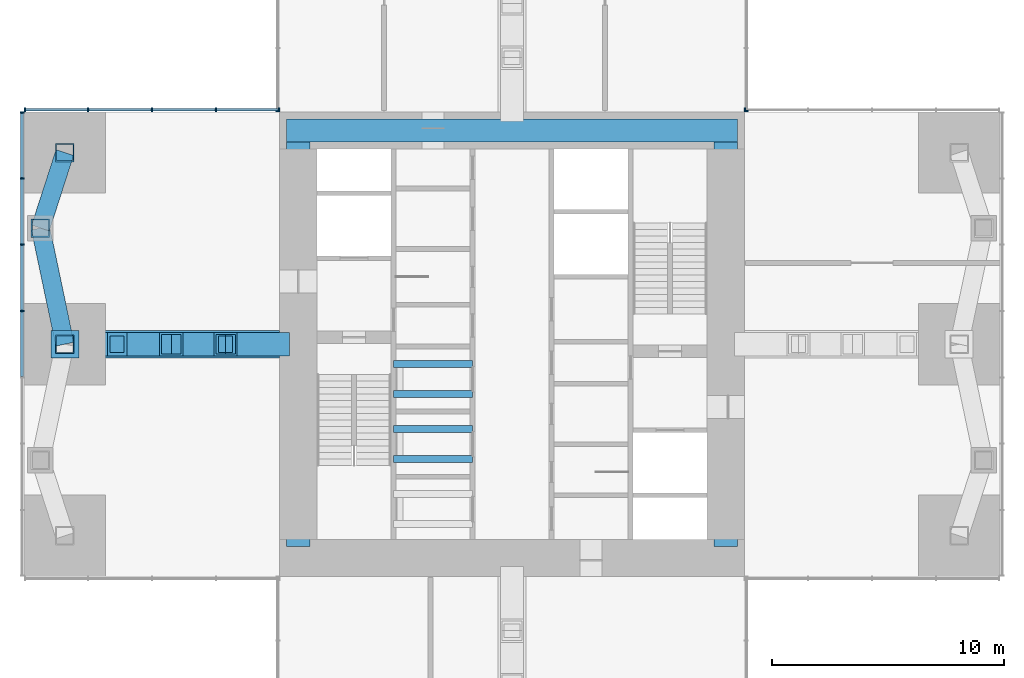
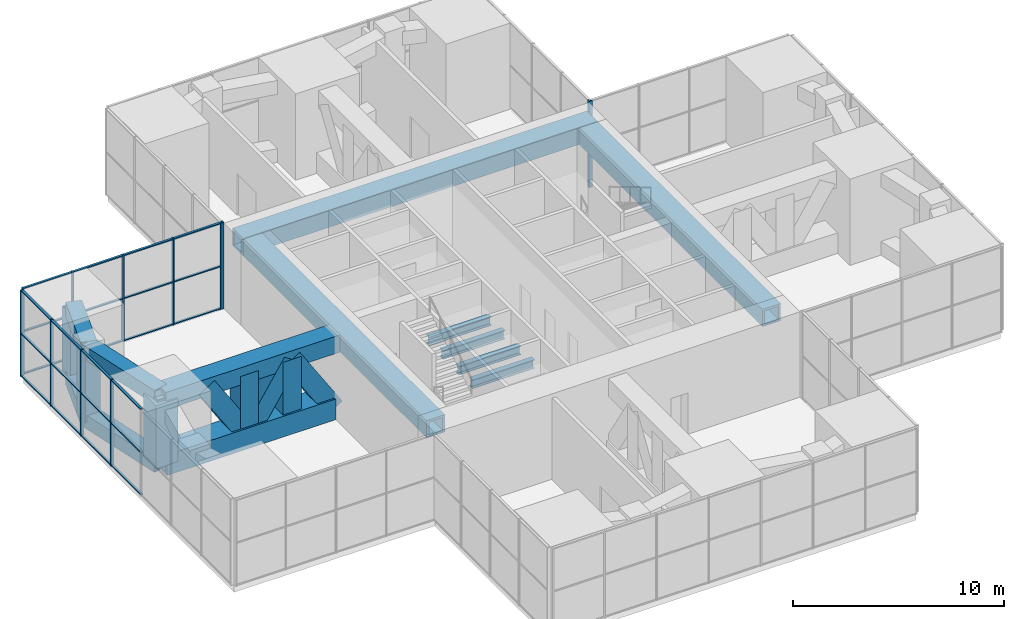
# One storey, part 4 of 12: 54 members, 4 beams, 5 elements without a shape of their own.
"""IFC4 building model written with IfcOpenShell, lengths in metres."""

from ifc_helpers import new_model, si_unit, direction, frame, origin, origin_2d, place, context, subcontext, project, spatial, rectangle, hollow_rectangle, i_section, extrude, material, material_profile, profile_set, type_object, element, aggregate, save


model = new_model("IFC4")

# Units and contexts
model_context = context("Model", 3, precision=1e-05, world=origin(), true_north=direction((0.0, 1.0)))
body_context = subcontext(model_context, "Body", "Model", "MODEL_VIEW")
ifc_project = project(units=[si_unit("LENGTHUNIT", "METRE"), si_unit("AREAUNIT", "SQUARE_METRE"), si_unit("VOLUMEUNIT", "CUBIC_METRE"), si_unit("PLANEANGLEUNIT", "RADIAN"), si_unit("MASSUNIT", "GRAM", prefix="KILO")], contexts=[model_context])

# Site, building, storey
site_placement = place(None, origin())
site = spatial("IfcSite", under=ifc_project, at=site_placement, CompositionType="ELEMENT")
building_placement = place(site_placement, origin())
building = spatial("IfcBuilding", under=site, at=building_placement, Name="Svetlomir Tower", CompositionType="ELEMENT")
storey_placement = place(building_placement, frame((0.0, 0.0, 160.5)))
storey = spatial("IfcBuildingStorey", under=building, at=storey_placement, Name="L38", CompositionType="ELEMENT", Elevation=160.5)

# Members
ifc_material_1 = material(Name="Steel S355", Category="steel")
ifc_material_profile_1 = material_profile(ifc_material_1, hollow_rectangle(XDim=0.800048828125, YDim=0.800048828125, WallThickness=0.050048828125, at=origin_2d()), Name="BOX 800x800x50")
ifc_profile_set_1 = profile_set([ifc_material_profile_1], Name="Steel S355")
member_type_1 = type_object("IfcMemberType", Name="BELT FRAME CHORD BOX 800x800x50", PredefinedType="CHORD", material=ifc_profile_set_1)
for number, where, z_axis, x_axis, name in (
    (1, (1.75, 21.0, 0.39990234375), (-0.205526387753, 0.978651574329, 0.0), (-0.978651574329, -0.205526387753, 0.0), "Belt frame W L38 bottom chord 3"),
    (2, (1.75, 21.0, 4.35009765625), (-0.205526387753, 0.978651574329, 0.0), (-0.978651574329, -0.205526387753, 0.0), "Belt frame W L38 top chord 3"),
):
    element("IfcMember", number, at=place(storey_placement, frame(where, z_axis=z_axis, x_axis=x_axis)), inside=storey, type_object=member_type_1, Name=name, PredefinedType="CHORD", context=body_context, shape_type="SweptSolid", body=[
        extrude(hollow_rectangle(XDim=0.800048828125, YDim=0.800048828125, WallThickness=0.050048828125, at=origin_2d()), origin(), (0.0, 0.0, 1.0), 5.109130859375),
    ])
for number, where, z_axis, x_axis, name in (
    (3, (0.699951171875, 26.0, 0.39990234375), (0.307443428225, 0.951566360503, 0.0), (-0.951566360503, 0.307443428225, 0.0), "Belt frame W L38 bottom chord 4"),
    (4, (0.699951171875, 26.0, 4.35009765625), (0.307443428225, 0.951566360503, 0.0), (-0.951566360503, 0.307443428225, 0.0), "Belt frame W L38 top chord 4"),
):
    element("IfcMember", number, at=place(storey_placement, frame(where, z_axis=z_axis, x_axis=x_axis)), inside=storey, type_object=member_type_1, Name=name, PredefinedType="CHORD", context=body_context, shape_type="SweptSolid", body=[
        extrude(hollow_rectangle(XDim=0.800048828125, YDim=0.800048828125, WallThickness=0.050048828125, at=origin_2d()), origin(), (0.0, 0.0, 1.0), 3.41552734375),
    ])
ifc_material_2 = material(Name="Steel S355", Category="steel")
ifc_material_profile_2 = material_profile(ifc_material_2, hollow_rectangle(XDim=0.800048828125, YDim=0.800048828125, WallThickness=0.050048828125, at=origin_2d()), Name="BOX 800x800x50")
ifc_profile_set_2 = profile_set([ifc_material_profile_2], Name="Steel S355")
member_type_2 = type_object("IfcMemberType", Name="BELT FRAME POST BOX 800x800x50", PredefinedType="POST", material=ifc_profile_set_2)
for number, where, z_axis, x_axis, name in (
    (5, (1.75, 21.0, 0.39990234375), (0.0, 0.0, 1.0), (1.0, 0.0, 0.0), "Belt frame W L38 post 3"),
    (6, (0.699951171875, 26.0, 0.39990234375), (0.0, 0.0, 1.0), (1.0, 0.0, 0.0), "Belt frame W L38 post 4"),
    (7, (1.75, 29.25, 0.39990234375), (0.0, 0.0, 1.0), (1.0, 0.0, 0.0), "Belt frame W L38 post 5"),
):
    element("IfcMember", number, at=place(storey_placement, frame(where, z_axis=z_axis, x_axis=x_axis)), inside=storey, type_object=member_type_2, Name=name, PredefinedType="POST", context=body_context, shape_type="SweptSolid", body=[
        extrude(hollow_rectangle(XDim=0.800048828125, YDim=0.800048828125, WallThickness=0.050048828125, at=origin_2d()), origin(), (0.0, 0.0, 1.0), 3.9501953125),
    ])

# Curtain wall, member
ifc_material_3 = material(Name="Bronze anodised aluminium curtain wall", Category="aluminium")
curtain_wall_type = type_object("IfcCurtainWallType", Name="CURTAIN WALL CW3 PLANT LOUVRE", PredefinedType="NOTDEFINED", material=ifc_material_3)
curtain_wall_1_placement = place(storey_placement, origin())
curtain_wall_1 = element("IfcCurtainWall", 8, at=curtain_wall_1_placement, inside=storey, type_object=curtain_wall_type, Name="Curtain wall CW3 L38", PredefinedType="NOTDEFINED")
ifc_material_4 = material(Name="Bronze anodised aluminium", Category="aluminium")
ifc_material_profile_3 = material_profile(ifc_material_4, rectangle(XDim=0.06494140625, YDim=0.179931640625, at=origin_2d()), Name="AL 65x180")
ifc_profile_set_3 = profile_set([ifc_material_profile_3], Name="Bronze anodised aluminium 6063-T6")
member_type_3 = type_object("IfcMemberType", Name="CW3 MULLION 65x180", PredefinedType="MULLION", material=ifc_profile_set_3)
member_1_placement = place(storey_placement, frame((31.032470703125, 31.090087890625, 0.0), z_axis=(0.0, 0.0, 1.0), x_axis=(-1.0, 0.0, 0.0)))
member_1 = element("IfcMember", 9, at=member_1_placement, type_object=member_type_3, Name="CW3 mullion 5", PredefinedType="MULLION", context=body_context, shape_type="SweptSolid", body=[
    extrude(rectangle(XDim=0.06494140625, YDim=0.179931640625, at=origin_2d()), origin(), (0.0, 0.0, 1.0), 5.0),
])
aggregate(curtain_wall_1, [member_1])

curtain_wall_2_placement = place(storey_placement, origin())
curtain_wall_2 = element("IfcCurtainWall", 10, at=curtain_wall_2_placement, inside=storey, type_object=curtain_wall_type, Name="Curtain wall CW3 L38", PredefinedType="NOTDEFINED")
member_2_placement = place(storey_placement, frame((31.090087890625, 31.032470703125, 0.0), z_axis=(0.0, 0.0, 1.0), x_axis=(0.0, 1.0, 0.0)))
member_2 = element("IfcMember", 11, at=member_2_placement, type_object=member_type_3, Name="CW3 mullion 1", PredefinedType="MULLION", context=body_context, shape_type="SweptSolid", body=[
    extrude(rectangle(XDim=0.06494140625, YDim=0.179931640625, at=origin_2d()), origin(), (0.0, 0.0, 1.0), 5.0),
])
aggregate(curtain_wall_2, [member_2])

curtain_wall_3_placement = place(storey_placement, origin())
curtain_wall_3 = element("IfcCurtainWall", 12, at=curtain_wall_3_placement, inside=storey, type_object=curtain_wall_type, Name="Curtain wall CW3 L38", PredefinedType="NOTDEFINED")
member_3_placement = place(storey_placement, frame((10.909912109375, 31.032470703125, 0.0), z_axis=(0.0, 0.0, 1.0), x_axis=(0.0, -1.0, 0.0)))
member_3 = element("IfcMember", 13, at=member_3_placement, type_object=member_type_3, Name="CW3 mullion 5", PredefinedType="MULLION", context=body_context, shape_type="SweptSolid", body=[
    extrude(rectangle(XDim=0.06494140625, YDim=0.179931640625, at=origin_2d()), origin(), (0.0, 0.0, 1.0), 5.0),
])
aggregate(curtain_wall_3, [member_3])

# Curtain wall, members
curtain_wall_4_placement = place(storey_placement, origin())
curtain_wall_4 = element("IfcCurtainWall", 14, at=curtain_wall_4_placement, inside=storey, type_object=curtain_wall_type, Name="Curtain wall CW3 L38", PredefinedType="NOTDEFINED")
member_4_placement = place(storey_placement, frame((10.967529296875, 31.090087890625, 0.0), z_axis=(0.0, 0.0, 1.0), x_axis=(-1.0, 0.0, 0.0)))
member_4 = element("IfcMember", 15, at=member_4_placement, type_object=member_type_3, Name="CW3 mullion 1", PredefinedType="MULLION", context=body_context, shape_type="SweptSolid", body=[
    extrude(rectangle(XDim=0.06494140625, YDim=0.179931640625, at=origin_2d()), origin(), (0.0, 0.0, 1.0), 5.0),
])
member_5_placement = place(storey_placement, frame((8.25, 31.090087890625, 0.0), z_axis=(0.0, 0.0, 1.0), x_axis=(-1.0, 0.0, 0.0)))
member_5 = element("IfcMember", 16, at=member_5_placement, type_object=member_type_3, Name="CW3 mullion 2", PredefinedType="MULLION", context=body_context, shape_type="SweptSolid", body=[
    extrude(rectangle(XDim=0.06494140625, YDim=0.179931640625, at=origin_2d()), origin(), (0.0, 0.0, 1.0), 5.0),
])
member_6_placement = place(storey_placement, frame((5.5, 31.090087890625, 0.0), z_axis=(0.0, 0.0, 1.0), x_axis=(-1.0, 0.0, 0.0)))
member_6 = element("IfcMember", 17, at=member_6_placement, type_object=member_type_3, Name="CW3 mullion 3", PredefinedType="MULLION", context=body_context, shape_type="SweptSolid", body=[
    extrude(rectangle(XDim=0.06494140625, YDim=0.179931640625, at=origin_2d()), origin(), (0.0, 0.0, 1.0), 5.0),
])
member_7_placement = place(storey_placement, frame((2.75, 31.090087890625, 0.0), z_axis=(0.0, 0.0, 1.0), x_axis=(-1.0, 0.0, 0.0)))
member_7 = element("IfcMember", 18, at=member_7_placement, type_object=member_type_3, Name="CW3 mullion 4", PredefinedType="MULLION", context=body_context, shape_type="SweptSolid", body=[
    extrude(rectangle(XDim=0.06494140625, YDim=0.179931640625, at=origin_2d()), origin(), (0.0, 0.0, 1.0), 5.0),
])
member_8_placement = place(storey_placement, frame((0.032470703125, 31.090087890625, 0.0), z_axis=(0.0, 0.0, 1.0), x_axis=(-1.0, 0.0, 0.0)))
member_8 = element("IfcMember", 19, at=member_8_placement, type_object=member_type_3, Name="CW3 mullion 5", PredefinedType="MULLION", context=body_context, shape_type="SweptSolid", body=[
    extrude(rectangle(XDim=0.06494140625, YDim=0.179931640625, at=origin_2d()), origin(), (0.0, 0.0, 1.0), 5.0),
])

curtain_wall_5_placement = place(storey_placement, origin())
curtain_wall_5 = element("IfcCurtainWall", 20, at=curtain_wall_5_placement, inside=storey, type_object=curtain_wall_type, Name="Curtain wall CW3 L38", PredefinedType="NOTDEFINED")
member_9_placement = place(storey_placement, frame((-0.090087890625, 30.967529296875, 0.0), z_axis=(0.0, 0.0, 1.0), x_axis=(0.0, -1.0, 0.0)))
member_9 = element("IfcMember", 21, at=member_9_placement, type_object=member_type_3, Name="CW3 mullion 1", PredefinedType="MULLION", context=body_context, shape_type="SweptSolid", body=[
    extrude(rectangle(XDim=0.06494140625, YDim=0.179931640625, at=origin_2d()), origin(), (0.0, 0.0, 1.0), 5.0),
])
member_10_placement = place(storey_placement, frame((-0.090087890625, 28.142822265625, 0.0), z_axis=(0.0, 0.0, 1.0), x_axis=(0.0, -1.0, 0.0)))
member_10 = element("IfcMember", 22, at=member_10_placement, type_object=member_type_3, Name="CW3 mullion 2", PredefinedType="MULLION", context=body_context, shape_type="SweptSolid", body=[
    extrude(rectangle(XDim=0.06494140625, YDim=0.179931640625, at=origin_2d()), origin(), (0.0, 0.0, 1.0), 5.0),
])
member_11_placement = place(storey_placement, frame((-0.090087890625, 25.28564453125, 0.0), z_axis=(0.0, 0.0, 1.0), x_axis=(0.0, -1.0, 0.0)))
member_11 = element("IfcMember", 23, at=member_11_placement, type_object=member_type_3, Name="CW3 mullion 3", PredefinedType="MULLION", context=body_context, shape_type="SweptSolid", body=[
    extrude(rectangle(XDim=0.06494140625, YDim=0.179931640625, at=origin_2d()), origin(), (0.0, 0.0, 1.0), 5.0),
])
member_12_placement = place(storey_placement, frame((-0.090087890625, 22.428466796875, 0.0), z_axis=(0.0, 0.0, 1.0), x_axis=(0.0, -1.0, 0.0)))
member_12 = element("IfcMember", 24, at=member_12_placement, type_object=member_type_3, Name="CW3 mullion 4", PredefinedType="MULLION", context=body_context, shape_type="SweptSolid", body=[
    extrude(rectangle(XDim=0.06494140625, YDim=0.179931640625, at=origin_2d()), origin(), (0.0, 0.0, 1.0), 5.0),
])

# Member
ifc_material_5 = material(Name="Bronze anodised aluminium", Category="aluminium")
ifc_material_profile_4 = material_profile(ifc_material_5, rectangle(XDim=0.1201171875, YDim=0.06494140625, at=origin_2d()), Name="AL 120x65")
ifc_profile_set_4 = profile_set([ifc_material_profile_4], Name="Bronze anodised aluminium 6063-T6")
member_type_4 = type_object("IfcMemberType", Name="CW3 TRANSOM 65x120", PredefinedType="USERDEFINED", material=ifc_profile_set_4)
member_13_placement = place(storey_placement, frame((10.93505859375, 31.090087890625, 0.032470703125), z_axis=(-1.0, 0.0, 0.0), x_axis=(0.0, -1.0, 0.0)))
member_13 = element("IfcMember", 25, at=member_13_placement, type_object=member_type_4, Name="CW3 transom 1.1", ObjectType="TRANSOM", PredefinedType="USERDEFINED", context=body_context, shape_type="SweptSolid", body=[
    extrude(rectangle(XDim=0.1201171875, YDim=0.06494140625, at=origin_2d()), origin(), (0.0, 0.0, 1.0), 2.652587890625),
])

member_14_placement = place(storey_placement, frame((10.93505859375, 31.090087890625, 2.483642578125), z_axis=(-1.0, 0.0, 0.0), x_axis=(0.0, -1.0, 0.0)))
member_14 = element("IfcMember", 26, at=member_14_placement, type_object=member_type_4, Name="CW3 transom 1.2", ObjectType="TRANSOM", PredefinedType="USERDEFINED", context=body_context, shape_type="SweptSolid", body=[
    extrude(rectangle(XDim=0.1201171875, YDim=0.06494140625, at=origin_2d()), origin(), (0.0, 0.0, 1.0), 2.652587890625),
])

member_15_placement = place(storey_placement, frame((10.93505859375, 31.090087890625, 4.967529296875), z_axis=(-1.0, 0.0, 0.0), x_axis=(0.0, -1.0, 0.0)))
member_15 = element("IfcMember", 27, at=member_15_placement, type_object=member_type_4, Name="CW3 transom 1.3", ObjectType="TRANSOM", PredefinedType="USERDEFINED", context=body_context, shape_type="SweptSolid", body=[
    extrude(rectangle(XDim=0.1201171875, YDim=0.06494140625, at=origin_2d()), origin(), (0.0, 0.0, 1.0), 2.652587890625),
])

member_16_placement = place(storey_placement, frame((8.217529296875, 31.090087890625, 0.032470703125), z_axis=(-1.0, 0.0, 0.0), x_axis=(0.0, -1.0, 0.0)))
member_16 = element("IfcMember", 28, at=member_16_placement, type_object=member_type_4, Name="CW3 transom 2.1", ObjectType="TRANSOM", PredefinedType="USERDEFINED", context=body_context, shape_type="SweptSolid", body=[
    extrude(rectangle(XDim=0.1201171875, YDim=0.06494140625, at=origin_2d()), origin(), (0.0, 0.0, 1.0), 2.68505859375),
])

member_17_placement = place(storey_placement, frame((8.217529296875, 31.090087890625, 2.483642578125), z_axis=(-1.0, 0.0, 0.0), x_axis=(0.0, -1.0, 0.0)))
member_17 = element("IfcMember", 29, at=member_17_placement, type_object=member_type_4, Name="CW3 transom 2.2", ObjectType="TRANSOM", PredefinedType="USERDEFINED", context=body_context, shape_type="SweptSolid", body=[
    extrude(rectangle(XDim=0.1201171875, YDim=0.06494140625, at=origin_2d()), origin(), (0.0, 0.0, 1.0), 2.68505859375),
])

member_18_placement = place(storey_placement, frame((8.217529296875, 31.090087890625, 4.967529296875), z_axis=(-1.0, 0.0, 0.0), x_axis=(0.0, -1.0, 0.0)))
member_18 = element("IfcMember", 30, at=member_18_placement, type_object=member_type_4, Name="CW3 transom 2.3", ObjectType="TRANSOM", PredefinedType="USERDEFINED", context=body_context, shape_type="SweptSolid", body=[
    extrude(rectangle(XDim=0.1201171875, YDim=0.06494140625, at=origin_2d()), origin(), (0.0, 0.0, 1.0), 2.68505859375),
])

member_19_placement = place(storey_placement, frame((5.467529296875, 31.090087890625, 0.032470703125), z_axis=(-1.0, 0.0, 0.0), x_axis=(0.0, -1.0, 0.0)))
member_19 = element("IfcMember", 31, at=member_19_placement, type_object=member_type_4, Name="CW3 transom 3.1", ObjectType="TRANSOM", PredefinedType="USERDEFINED", context=body_context, shape_type="SweptSolid", body=[
    extrude(rectangle(XDim=0.1201171875, YDim=0.06494140625, at=origin_2d()), origin(), (0.0, 0.0, 1.0), 2.68505859375),
])

member_20_placement = place(storey_placement, frame((5.467529296875, 31.090087890625, 2.483642578125), z_axis=(-1.0, 0.0, 0.0), x_axis=(0.0, -1.0, 0.0)))
member_20 = element("IfcMember", 32, at=member_20_placement, type_object=member_type_4, Name="CW3 transom 3.2", ObjectType="TRANSOM", PredefinedType="USERDEFINED", context=body_context, shape_type="SweptSolid", body=[
    extrude(rectangle(XDim=0.1201171875, YDim=0.06494140625, at=origin_2d()), origin(), (0.0, 0.0, 1.0), 2.68505859375),
])

member_21_placement = place(storey_placement, frame((5.467529296875, 31.090087890625, 4.967529296875), z_axis=(-1.0, 0.0, 0.0), x_axis=(0.0, -1.0, 0.0)))
member_21 = element("IfcMember", 33, at=member_21_placement, type_object=member_type_4, Name="CW3 transom 3.3", ObjectType="TRANSOM", PredefinedType="USERDEFINED", context=body_context, shape_type="SweptSolid", body=[
    extrude(rectangle(XDim=0.1201171875, YDim=0.06494140625, at=origin_2d()), origin(), (0.0, 0.0, 1.0), 2.68505859375),
])

member_22_placement = place(storey_placement, frame((2.717529296875, 31.090087890625, 0.032470703125), z_axis=(-1.0, 0.0, 0.0), x_axis=(0.0, -1.0, 0.0)))
member_22 = element("IfcMember", 34, at=member_22_placement, type_object=member_type_4, Name="CW3 transom 4.1", ObjectType="TRANSOM", PredefinedType="USERDEFINED", context=body_context, shape_type="SweptSolid", body=[
    extrude(rectangle(XDim=0.1201171875, YDim=0.06494140625, at=origin_2d()), origin(), (0.0, 0.0, 1.0), 2.652587890625),
])

member_23_placement = place(storey_placement, frame((2.717529296875, 31.090087890625, 2.483642578125), z_axis=(-1.0, 0.0, 0.0), x_axis=(0.0, -1.0, 0.0)))
member_23 = element("IfcMember", 35, at=member_23_placement, type_object=member_type_4, Name="CW3 transom 4.2", ObjectType="TRANSOM", PredefinedType="USERDEFINED", context=body_context, shape_type="SweptSolid", body=[
    extrude(rectangle(XDim=0.1201171875, YDim=0.06494140625, at=origin_2d()), origin(), (0.0, 0.0, 1.0), 2.652587890625),
])

member_24_placement = place(storey_placement, frame((2.717529296875, 31.090087890625, 4.967529296875), z_axis=(-1.0, 0.0, 0.0), x_axis=(0.0, -1.0, 0.0)))
member_24 = element("IfcMember", 36, at=member_24_placement, type_object=member_type_4, Name="CW3 transom 4.3", ObjectType="TRANSOM", PredefinedType="USERDEFINED", context=body_context, shape_type="SweptSolid", body=[
    extrude(rectangle(XDim=0.1201171875, YDim=0.06494140625, at=origin_2d()), origin(), (0.0, 0.0, 1.0), 2.652587890625),
])

aggregate(curtain_wall_4, [member_4, member_5, member_6, member_7, member_8, member_13, member_14, member_15, member_16, member_17, member_18, member_19, member_20, member_21, member_22, member_23, member_24])

member_25_placement = place(storey_placement, frame((-0.090087890625, 30.93505859375, 0.032470703125), z_axis=(0.0, -1.0, 0.0), x_axis=(1.0, 0.0, 0.0)))
member_25 = element("IfcMember", 37, at=member_25_placement, type_object=member_type_4, Name="CW3 transom 1.1", ObjectType="TRANSOM", PredefinedType="USERDEFINED", context=body_context, shape_type="SweptSolid", body=[
    extrude(rectangle(XDim=0.1201171875, YDim=0.06494140625, at=origin_2d()), origin(), (0.0, 0.0, 1.0), 2.759765625),
])

member_26_placement = place(storey_placement, frame((-0.090087890625, 30.93505859375, 2.483642578125), z_axis=(0.0, -1.0, 0.0), x_axis=(1.0, 0.0, 0.0)))
member_26 = element("IfcMember", 38, at=member_26_placement, type_object=member_type_4, Name="CW3 transom 1.2", ObjectType="TRANSOM", PredefinedType="USERDEFINED", context=body_context, shape_type="SweptSolid", body=[
    extrude(rectangle(XDim=0.1201171875, YDim=0.06494140625, at=origin_2d()), origin(), (0.0, 0.0, 1.0), 2.759765625),
])

member_27_placement = place(storey_placement, frame((-0.090087890625, 30.93505859375, 4.967529296875), z_axis=(0.0, -1.0, 0.0), x_axis=(1.0, 0.0, 0.0)))
member_27 = element("IfcMember", 39, at=member_27_placement, type_object=member_type_4, Name="CW3 transom 1.3", ObjectType="TRANSOM", PredefinedType="USERDEFINED", context=body_context, shape_type="SweptSolid", body=[
    extrude(rectangle(XDim=0.1201171875, YDim=0.06494140625, at=origin_2d()), origin(), (0.0, 0.0, 1.0), 2.759765625),
])

member_28_placement = place(storey_placement, frame((-0.090087890625, 28.1103515625, 0.032470703125), z_axis=(0.0, -1.0, 0.0), x_axis=(1.0, 0.0, 0.0)))
member_28 = element("IfcMember", 40, at=member_28_placement, type_object=member_type_4, Name="CW3 transom 2.1", ObjectType="TRANSOM", PredefinedType="USERDEFINED", context=body_context, shape_type="SweptSolid", body=[
    extrude(rectangle(XDim=0.1201171875, YDim=0.06494140625, at=origin_2d()), origin(), (0.0, 0.0, 1.0), 2.792236328125),
])

member_29_placement = place(storey_placement, frame((-0.090087890625, 28.1103515625, 2.483642578125), z_axis=(0.0, -1.0, 0.0), x_axis=(1.0, 0.0, 0.0)))
member_29 = element("IfcMember", 41, at=member_29_placement, type_object=member_type_4, Name="CW3 transom 2.2", ObjectType="TRANSOM", PredefinedType="USERDEFINED", context=body_context, shape_type="SweptSolid", body=[
    extrude(rectangle(XDim=0.1201171875, YDim=0.06494140625, at=origin_2d()), origin(), (0.0, 0.0, 1.0), 2.792236328125),
])

member_30_placement = place(storey_placement, frame((-0.090087890625, 28.1103515625, 4.967529296875), z_axis=(0.0, -1.0, 0.0), x_axis=(1.0, 0.0, 0.0)))
member_30 = element("IfcMember", 42, at=member_30_placement, type_object=member_type_4, Name="CW3 transom 2.3", ObjectType="TRANSOM", PredefinedType="USERDEFINED", context=body_context, shape_type="SweptSolid", body=[
    extrude(rectangle(XDim=0.1201171875, YDim=0.06494140625, at=origin_2d()), origin(), (0.0, 0.0, 1.0), 2.792236328125),
])

member_31_placement = place(storey_placement, frame((-0.090087890625, 25.253173828125, 0.032470703125), z_axis=(0.0, -1.0, 0.0), x_axis=(1.0, 0.0, 0.0)))
member_31 = element("IfcMember", 43, at=member_31_placement, type_object=member_type_4, Name="CW3 transom 3.1", ObjectType="TRANSOM", PredefinedType="USERDEFINED", context=body_context, shape_type="SweptSolid", body=[
    extrude(rectangle(XDim=0.1201171875, YDim=0.06494140625, at=origin_2d()), origin(), (0.0, 0.0, 1.0), 2.7919921875),
])

member_32_placement = place(storey_placement, frame((-0.090087890625, 25.253173828125, 2.483642578125), z_axis=(0.0, -1.0, 0.0), x_axis=(1.0, 0.0, 0.0)))
member_32 = element("IfcMember", 44, at=member_32_placement, type_object=member_type_4, Name="CW3 transom 3.2", ObjectType="TRANSOM", PredefinedType="USERDEFINED", context=body_context, shape_type="SweptSolid", body=[
    extrude(rectangle(XDim=0.1201171875, YDim=0.06494140625, at=origin_2d()), origin(), (0.0, 0.0, 1.0), 2.7919921875),
])

member_33_placement = place(storey_placement, frame((-0.090087890625, 25.253173828125, 4.967529296875), z_axis=(0.0, -1.0, 0.0), x_axis=(1.0, 0.0, 0.0)))
member_33 = element("IfcMember", 45, at=member_33_placement, type_object=member_type_4, Name="CW3 transom 3.3", ObjectType="TRANSOM", PredefinedType="USERDEFINED", context=body_context, shape_type="SweptSolid", body=[
    extrude(rectangle(XDim=0.1201171875, YDim=0.06494140625, at=origin_2d()), origin(), (0.0, 0.0, 1.0), 2.7919921875),
])

member_34_placement = place(storey_placement, frame((-0.090087890625, 22.39599609375, 0.032470703125), z_axis=(0.0, -1.0, 0.0), x_axis=(1.0, 0.0, 0.0)))
member_34 = element("IfcMember", 46, at=member_34_placement, type_object=member_type_4, Name="CW3 transom 4.1", ObjectType="TRANSOM", PredefinedType="USERDEFINED", context=body_context, shape_type="SweptSolid", body=[
    extrude(rectangle(XDim=0.1201171875, YDim=0.06494140625, at=origin_2d()), origin(), (0.0, 0.0, 1.0), 2.7919921875),
])

member_35_placement = place(storey_placement, frame((-0.090087890625, 22.39599609375, 2.483642578125), z_axis=(0.0, -1.0, 0.0), x_axis=(1.0, 0.0, 0.0)))
member_35 = element("IfcMember", 47, at=member_35_placement, type_object=member_type_4, Name="CW3 transom 4.2", ObjectType="TRANSOM", PredefinedType="USERDEFINED", context=body_context, shape_type="SweptSolid", body=[
    extrude(rectangle(XDim=0.1201171875, YDim=0.06494140625, at=origin_2d()), origin(), (0.0, 0.0, 1.0), 2.7919921875),
])

member_36_placement = place(storey_placement, frame((-0.090087890625, 22.39599609375, 4.967529296875), z_axis=(0.0, -1.0, 0.0), x_axis=(1.0, 0.0, 0.0)))
member_36 = element("IfcMember", 48, at=member_36_placement, type_object=member_type_4, Name="CW3 transom 4.3", ObjectType="TRANSOM", PredefinedType="USERDEFINED", context=body_context, shape_type="SweptSolid", body=[
    extrude(rectangle(XDim=0.1201171875, YDim=0.06494140625, at=origin_2d()), origin(), (0.0, 0.0, 1.0), 2.7919921875),
])

aggregate(curtain_wall_5, [member_9, member_10, member_11, member_12, member_25, member_26, member_27, member_28, member_29, member_30, member_31, member_32, member_33, member_34, member_35, member_36])

# Beams
ifc_material_6 = material(Name="Steel S355", Category="steel")
ifc_material_profile_5 = material_profile(ifc_material_6, i_section(OverallWidth=0.300048828125, OverallDepth=0.5, WebThickness=0.014404296875, FlangeThickness=0.028076171875, FilletRadius=0.027099609375, at=origin_2d()), Name="HEB 500")
ifc_profile_set_5 = profile_set([ifc_material_profile_5], Name="Steel S355")
beam_type = type_object("IfcBeamType", Name="LIFT PIT BEAM HEB 500", PredefinedType="BEAM", material=ifc_profile_set_5)
for number, where, z_axis, x_axis, name in (
    (49, (15.89990234375, 16.050048828125, 3.050048828125), (1.0, 0.0, 0.0), (0.0, 1.0, 0.0), "Lift pit beam BANK-W2 1 under L39"),
    (50, (15.89990234375, 17.35009765625, 3.050048828125), (1.0, 0.0, 0.0), (0.0, 1.0, 0.0), "Lift pit beam BANK-W2 2 under L39"),
    (51, (15.89990234375, 18.85009765625, 3.050048828125), (1.0, 0.0, 0.0), (0.0, 1.0, 0.0), "Lift pit beam BANK-W3 1 under L39"),
    (52, (15.89990234375, 20.14990234375, 3.050048828125), (1.0, 0.0, 0.0), (0.0, 1.0, 0.0), "Lift pit beam BANK-W3 2 under L39"),
):
    element("IfcBeam", number, at=place(storey_placement, frame(where, z_axis=z_axis, x_axis=x_axis)), inside=storey, type_object=beam_type, Name=name, PredefinedType="BEAM", context=body_context, shape_type="SweptSolid", body=[
        extrude(i_section(OverallWidth=0.300048828125, OverallDepth=0.5, WebThickness=0.014404296875, FlangeThickness=0.028076171875, FilletRadius=0.027099609375, at=origin_2d()), origin(), (0.0, 0.0, 1.0), 3.400146484375),
    ])

# Members
ifc_material_7 = material(Name="Steel S355", Category="steel")
ifc_material_profile_6 = material_profile(ifc_material_7, hollow_rectangle(XDim=1.0, YDim=1.0, WallThickness=0.1201171875, at=origin_2d()), Name="BOX 1000x1000x120")
ifc_profile_set_6 = profile_set([ifc_material_profile_6], Name="Steel S355")
member_type_5 = type_object("IfcMemberType", Name="OUTRIGGER CHORD BOX 1000x1000x120", PredefinedType="CHORD", material=ifc_profile_set_6)
member_37_placement = place(storey_placement, frame((11.300048828125, 21.0, 4.25), z_axis=(-1.0, 0.0, 0.0), x_axis=(0.0, -1.0, 0.0)))
element("IfcMember", 53, at=member_37_placement, inside=storey, type_object=member_type_5, Name="Outrigger W L38 top chord", PredefinedType="CHORD", context=body_context, shape_type="SweptSolid", body=[
    extrude(hollow_rectangle(XDim=1.0, YDim=1.0, WallThickness=0.1201171875, at=origin_2d()), origin(), (0.0, 0.0, 1.0), 9.550048828125),
])
ifc_material_8 = material(Name="Steel S355", Category="steel")
ifc_material_profile_7 = material_profile(ifc_material_8, hollow_rectangle(XDim=1.199951171875, YDim=1.199951171875, WallThickness=0.14990234375, at=origin_2d()), Name="BOX 1200x1200x150")
ifc_profile_set_7 = profile_set([ifc_material_profile_7], Name="Steel S355")
member_type_6 = type_object("IfcMemberType", Name="OUTRIGGER CHORD BOX 1200x1200x150", PredefinedType="CHORD", material=ifc_profile_set_7)
member_38_placement = place(storey_placement, frame((11.0, 21.0, 0.60009765625), z_axis=(-1.0, 0.0, 0.0), x_axis=(0.0, -1.0, 0.0)))
element("IfcMember", 54, at=member_38_placement, inside=storey, type_object=member_type_6, Name="Outrigger W L38 bottom chord", PredefinedType="CHORD", context=body_context, shape_type="SweptSolid", body=[
    extrude(hollow_rectangle(XDim=1.199951171875, YDim=1.199951171875, WallThickness=0.14990234375, at=origin_2d()), origin(), (0.0, 0.0, 1.0), 9.25),
])
ifc_material_9 = material(Name="Steel S355", Category="steel")
ifc_material_profile_8 = material_profile(ifc_material_9, hollow_rectangle(XDim=1.0, YDim=1.0, WallThickness=0.1201171875, at=origin_2d()), Name="BOX 1000x1000x120")
ifc_profile_set_8 = profile_set([ifc_material_profile_8], Name="Steel S355")
member_type_7 = type_object("IfcMemberType", Name="OUTRIGGER CHORD, EMBEDDED BOX 1000x1000x120", PredefinedType="CHORD", material=ifc_profile_set_8)
member_39_placement = place(storey_placement, frame((11.300048828125, 30.199951171875, 4.25), z_axis=(1.0, 0.0, 0.0), x_axis=(0.0, 1.0, 0.0)))
element("IfcMember", 55, at=member_39_placement, inside=storey, type_object=member_type_7, Name="Embedded outrigger chord N core wall L38 top", PredefinedType="CHORD", context=body_context, shape_type="SweptSolid", body=[
    extrude(hollow_rectangle(XDim=1.0, YDim=1.0, WallThickness=0.1201171875, at=origin_2d()), origin(), (0.0, 0.0, 1.0), 19.39990234375),
])
for number, where, z_axis, x_axis, name in (
    (56, (11.800048828125, 12.300048828125, 4.25), (0.0, 1.0, 0.0), (-1.0, 0.0, 0.0), "Embedded outrigger chord W core wall L38 top"),
    (57, (30.199951171875, 12.300048828125, 4.25), (0.0, 1.0, 0.0), (-1.0, 0.0, 0.0), "Embedded outrigger chord E core wall L38 top"),
):
    element("IfcMember", number, at=place(storey_placement, frame(where, z_axis=z_axis, x_axis=x_axis)), inside=storey, type_object=member_type_7, Name=name, PredefinedType="CHORD", context=body_context, shape_type="SweptSolid", body=[
        extrude(hollow_rectangle(XDim=1.0, YDim=1.0, WallThickness=0.1201171875, at=origin_2d()), origin(), (0.0, 0.0, 1.0), 17.39990234375),
    ])
ifc_material_10 = material(Name="Steel S355", Category="steel")
ifc_material_profile_9 = material_profile(ifc_material_10, hollow_rectangle(XDim=1.0, YDim=1.0, WallThickness=0.14990234375, at=origin_2d()), Name="BOX 1000x1000x150")
ifc_profile_set_9 = profile_set([ifc_material_profile_9], Name="Steel S355")
member_type_8 = type_object("IfcMemberType", Name="OUTRIGGER DIAGONAL BOX 1000x1000x150", PredefinedType="BRACE", material=ifc_profile_set_9)
for number, where, z_axis, x_axis, name in (
    (58, (11.0, 21.0, 0.60009765625), (-0.538613825489, 0.0, 0.842552756207), (0.0, -1.0, 0.0), "Outrigger W L38 diagonal 1"),
    (59, (8.666748046875, 21.0, 4.25), (-0.53865383197, 0.0, -0.842527180158), (0.0, -1.0, 0.0), "Outrigger W L38 diagonal 2"),
    (60, (6.333251953125, 21.0, 0.60009765625), (-0.538613825489, 0.0, 0.842552756207), (0.0, -1.0, 0.0), "Outrigger W L38 diagonal 3"),
):
    element("IfcMember", number, at=place(storey_placement, frame(where, z_axis=z_axis, x_axis=x_axis)), inside=storey, type_object=member_type_8, Name=name, PredefinedType="BRACE", context=body_context, shape_type="SweptSolid", body=[
        extrude(hollow_rectangle(XDim=1.0, YDim=1.0, WallThickness=0.14990234375, at=origin_2d()), origin(), (0.0, 0.0, 1.0), 4.33203125),
    ])
ifc_material_11 = material(Name="Steel S355", Category="steel")
ifc_material_profile_10 = material_profile(ifc_material_11, hollow_rectangle(XDim=1.199951171875, YDim=1.199951171875, WallThickness=0.199951171875, at=origin_2d()), Name="BOX 1200x1200x200")
ifc_profile_set_10 = profile_set([ifc_material_profile_10], Name="Steel S355")
member_type_9 = type_object("IfcMemberType", Name="OUTRIGGER END POST BOX 1200x1200x200", PredefinedType="POST", material=ifc_profile_set_10)
member_40_placement = place(storey_placement, frame((1.75, 21.0, 0.60009765625), z_axis=(0.0, 0.0, 1.0), x_axis=(1.0, 0.0, 0.0)))
element("IfcMember", 61, at=member_40_placement, inside=storey, type_object=member_type_9, Name="Outrigger W L38 end post", PredefinedType="POST", context=body_context, shape_type="SweptSolid", body=[
    extrude(hollow_rectangle(XDim=1.199951171875, YDim=1.199951171875, WallThickness=0.199951171875, at=origin_2d()), origin(), (0.0, 0.0, 1.0), 3.64990234375),
])
ifc_material_12 = material(Name="Steel S355", Category="steel")
ifc_material_profile_11 = material_profile(ifc_material_12, hollow_rectangle(XDim=1.0, YDim=1.0, WallThickness=0.080078125, at=origin_2d()), Name="BOX 1000x1000x80")
ifc_profile_set_11 = profile_set([ifc_material_profile_11], Name="Steel S355")
member_type_10 = type_object("IfcMemberType", Name="OUTRIGGER POST BOX 1000x1000x80", PredefinedType="POST", material=ifc_profile_set_11)
for number, where, z_axis, x_axis, name in (
    (62, (8.666748046875, 21.0, 0.60009765625), (0.0, 0.0, 1.0), (1.0, 0.0, 0.0), "Outrigger W L38 post 1"),
    (63, (6.333251953125, 21.0, 0.60009765625), (0.0, 0.0, 1.0), (1.0, 0.0, 0.0), "Outrigger W L38 post 2"),
):
    element("IfcMember", number, at=place(storey_placement, frame(where, z_axis=z_axis, x_axis=x_axis)), inside=storey, type_object=member_type_10, Name=name, PredefinedType="POST", context=body_context, shape_type="SweptSolid", body=[
        extrude(hollow_rectangle(XDim=1.0, YDim=1.0, WallThickness=0.080078125, at=origin_2d()), origin(), (0.0, 0.0, 1.0), 3.64990234375),
    ])

save(model, "model.ifc")
